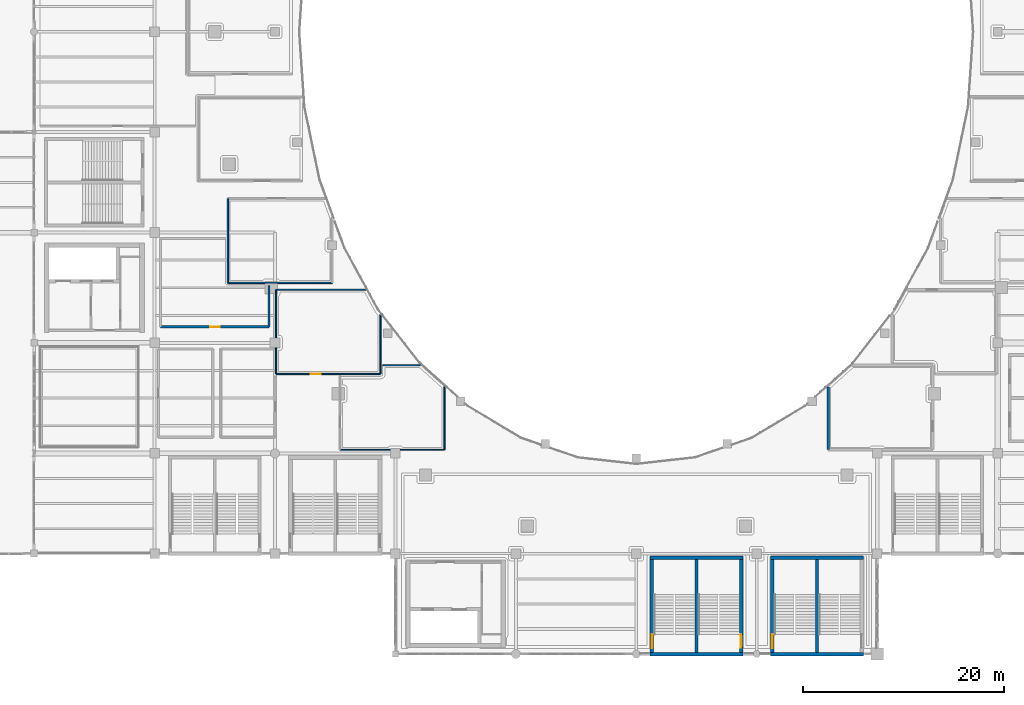
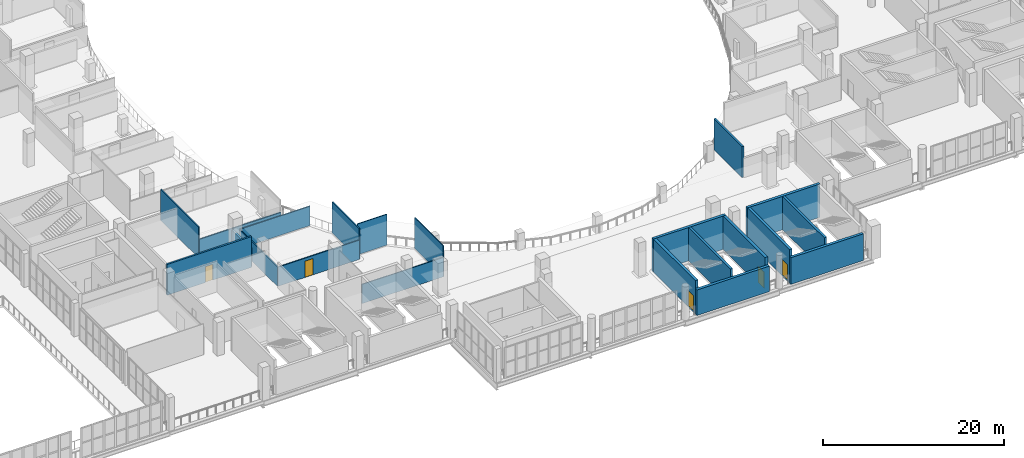
# One storey, part 62 of 90: 21 walls, 5 doors, 5 openings.
"""IFC4 building model written with IfcOpenShell, lengths in metres."""

from ifc_helpers import new_model, si_unit, direction, frame, frame_2d, origin, place, context, subcontext, project, spatial, rectangle, extrude, material, layer, layer_set, type_object, element, fill, save


model = new_model("IFC4")

# Units and contexts
model_context = context("Model", 3, precision=1e-05, world=origin(), true_north=direction((0.0, 1.0)))
body_context = subcontext(model_context, "Body", "Model", "MODEL_VIEW")
ifc_project = project(units=[si_unit("LENGTHUNIT", "METRE"), si_unit("AREAUNIT", "SQUARE_METRE"), si_unit("VOLUMEUNIT", "CUBIC_METRE"), si_unit("PLANEANGLEUNIT", "RADIAN"), si_unit("MASSUNIT", "GRAM", prefix="KILO")], contexts=[model_context])

# Site, building, storey
site_placement = place(None, origin())
site = spatial("IfcSite", under=ifc_project, at=site_placement, CompositionType="ELEMENT")
building_placement = place(site_placement, origin())
building = spatial("IfcBuilding", under=site, at=building_placement, Name="Brinegate Civic Arena", CompositionType="ELEMENT")
storey_placement = place(building_placement, frame((0.0, 0.0, 14.699951171875)))
storey = spatial("IfcBuildingStorey", under=building, at=storey_placement, Name="L03", CompositionType="ELEMENT", Elevation=14.699951171875)

# Wall
ifc_material_1 = material(Name="Concrete C50/60", Category="concrete")
ifc_layer_1 = layer(ifc_material_1, 0.35009765625, Name="Concrete C50/60")
ifc_layer_set_1 = layer_set([ifc_layer_1], Name="Concrete C50/60")
wall_type_1 = type_object("IfcWallType", Name="WALL-CORE-SHEAR-350", PredefinedType="SHEAR", material=ifc_layer_set_1)
wall_1_placement = place(storey_placement, frame((121.375, 9.60009765625, 0.0), z_axis=(0.0, 0.0, 1.0), x_axis=(1.0, 0.0, 0.0)))
element("IfcWall", 1, at=wall_1_placement, inside=storey, type_object=wall_type_1, Name="Stair ST-04 North Shear Wall L03 (WBC-09)", PredefinedType="SHEAR", context=body_context, shape_type="SweptSolid", body=[
    extrude(rectangle(XDim=9.25, YDim=0.35009765625, at=frame_2d((4.625, 0.0))), origin(), (0.0, 0.0, 1.0), 4.5),
])

# Wall, opening, door
wall_2_placement = place(storey_placement, frame((121.550048828125, 0.175048828125, 0.0), z_axis=(0.0, 0.0, 1.0), x_axis=(0.0, 1.0, 0.0)))
wall_2 = element("IfcWall", 2, at=wall_2_placement, inside=storey, type_object=wall_type_1, Name="Stair ST-04 West Shear Wall L03 (WBC-10)", PredefinedType="SHEAR", context=body_context, shape_type="SweptSolid", body=[
    extrude(rectangle(XDim=9.25, YDim=0.35009765625, at=frame_2d((4.625, 0.0))), origin(), (0.0, 0.0, 1.0), 4.5),
])
opening_1_placement = place(wall_2_placement, frame((0.425048828125, 0.0, 0.0)))
opening_1 = element("IfcOpeningElement", 3, at=opening_1_placement, cuts=wall_2, Name="Opening D-ST04A-L03", PredefinedType="OPENING", context=body_context, shape_type="SweptSolid", body=[
    extrude(rectangle(XDim=1.39990234375, YDim=2.199951171875, at=frame_2d((0.699951171875, 1.10009765625))), frame((0.0, 0.18505859375, 0.0), z_axis=(0.0, -1.0, 0.0), x_axis=(1.0, 0.0, 0.0)), (0.0, 0.0, 1.0), 0.3701171875),
])
ifc_material_2 = material(Name="Galvanized hurricane steel", Category="steel")
door_type_1 = type_object("IfcDoorType", Name="DOOR-STAIR-2400X2200", OperationType="NOTDEFINED", PredefinedType="DOOR", material=ifc_material_2)
door_1_placement = place(opening_1_placement, frame((1.39990234375, 0.0, 0.0), z_axis=(0.0, 0.0, 1.0), x_axis=(-1.0, 0.0, 0.0)))
door_1 = element("IfcDoor", 4, at=door_1_placement, inside=storey, type_object=door_type_1, Name="Protected Exit Stair Door D-ST04A-L03", OperationType="DOUBLE_DOOR_SINGLE_SWING", OverallHeight=2.199951171875, OverallWidth=1.39990234375, PredefinedType="DOOR", context=body_context, shape_type="SweptSolid", body=[
    extrude(rectangle(XDim=1.39990234375, YDim=2.199951171875, at=frame_2d((0.699951171875, 1.10009765625))), frame((0.0, 0.02490234375, 0.0), z_axis=(0.0, -1.0, 0.0), x_axis=(1.0, 0.0, 0.0)), (0.0, 0.0, 1.0), 0.050048828125),
])
fill(opening_1, door_1)

# Wall
wall_3_placement = place(storey_placement, frame((109.375, 9.60009765625, 0.0), z_axis=(0.0, 0.0, 1.0), x_axis=(1.0, 0.0, 0.0)))
element("IfcWall", 5, at=wall_3_placement, inside=storey, type_object=wall_type_1, Name="Stair ST-16 North Shear Wall L03 (WBF-27)", PredefinedType="SHEAR", context=body_context, shape_type="SweptSolid", body=[
    extrude(rectangle(XDim=9.25, YDim=0.35009765625, at=frame_2d((4.625, 0.0))), origin(), (0.0, 0.0, 1.0), 4.5),
])

# Wall, opening, door
wall_4_placement = place(storey_placement, frame((109.550048828125, 0.175048828125, 0.0), z_axis=(0.0, 0.0, 1.0), x_axis=(0.0, 1.0, 0.0)))
wall_4 = element("IfcWall", 6, at=wall_4_placement, inside=storey, type_object=wall_type_1, Name="Stair ST-16 West Shear Wall L03 (WBF-28)", PredefinedType="SHEAR", context=body_context, shape_type="SweptSolid", body=[
    extrude(rectangle(XDim=9.25, YDim=0.35009765625, at=frame_2d((4.625, 0.0))), origin(), (0.0, 0.0, 1.0), 4.5),
])
opening_2_placement = place(wall_4_placement, frame((0.425048828125, 0.0, 0.0)))
opening_2 = element("IfcOpeningElement", 7, at=opening_2_placement, cuts=wall_4, Name="Opening D-ST16A-L03", PredefinedType="OPENING", context=body_context, shape_type="SweptSolid", body=[
    extrude(rectangle(XDim=1.39990234375, YDim=2.199951171875, at=frame_2d((0.699951171875, 1.10009765625))), frame((0.0, 0.18505859375, 0.0), z_axis=(0.0, -1.0, 0.0), x_axis=(1.0, 0.0, 0.0)), (0.0, 0.0, 1.0), 0.3701171875),
])
door_2_placement = place(opening_2_placement, frame((1.39990234375, 0.0, 0.0), z_axis=(0.0, 0.0, 1.0), x_axis=(-1.0, 0.0, 0.0)))
door_2 = element("IfcDoor", 8, at=door_2_placement, inside=storey, type_object=door_type_1, Name="Protected Exit Stair Door D-ST16A-L03", OperationType="DOUBLE_DOOR_SINGLE_SWING", OverallHeight=2.199951171875, OverallWidth=1.39990234375, PredefinedType="DOOR", context=body_context, shape_type="SweptSolid", body=[
    extrude(rectangle(XDim=1.39990234375, YDim=2.199951171875, at=frame_2d((0.699951171875, 1.10009765625))), frame((0.0, 0.02490234375, 0.0), z_axis=(0.0, -1.0, 0.0), x_axis=(1.0, 0.0, 0.0)), (0.0, 0.0, 1.0), 0.050048828125),
])
fill(opening_2, door_2)

wall_5_placement = place(storey_placement, frame((118.449951171875, 0.175048828125, 0.0), z_axis=(0.0, 0.0, 1.0), x_axis=(0.0, 1.0, 0.0)))
wall_5 = element("IfcWall", 9, at=wall_5_placement, inside=storey, type_object=wall_type_1, Name="Stair ST-16 East Shear Wall L03 (WBF-29)", PredefinedType="SHEAR", context=body_context, shape_type="SweptSolid", body=[
    extrude(rectangle(XDim=9.25, YDim=0.35009765625, at=frame_2d((4.625, 0.0))), origin(), (0.0, 0.0, 1.0), 4.5),
])
opening_3_placement = place(wall_5_placement, frame((0.465087890625, 0.0, 0.0)))
opening_3 = element("IfcOpeningElement", 10, at=opening_3_placement, cuts=wall_5, Name="Opening D-ST16B-L03", PredefinedType="OPENING", context=body_context, shape_type="SweptSolid", body=[
    extrude(rectangle(XDim=1.320068359375, YDim=2.199951171875, at=frame_2d((0.66015625, 1.10009765625))), frame((0.0, 0.18505859375, 0.0), z_axis=(0.0, -1.0, 0.0), x_axis=(1.0, 0.0, 0.0)), (0.0, 0.0, 1.0), 0.3701171875),
])
door_type_2 = type_object("IfcDoorType", Name="DOOR-STAIR-2200X2200", OperationType="NOTDEFINED", PredefinedType="DOOR", material=ifc_material_2)
door_3_placement = place(opening_3_placement, origin())
door_3 = element("IfcDoor", 11, at=door_3_placement, inside=storey, type_object=door_type_2, Name="Protected Exit Stair Door D-ST16B-L03", OperationType="DOUBLE_DOOR_SINGLE_SWING", OverallHeight=2.199951171875, OverallWidth=1.320068359375, PredefinedType="DOOR", context=body_context, shape_type="SweptSolid", body=[
    extrude(rectangle(XDim=1.320068359375, YDim=2.199951171875, at=frame_2d((0.66015625, 1.10009765625))), frame((0.0, 0.02490234375, 0.0), z_axis=(0.0, -1.0, 0.0), x_axis=(1.0, 0.0, 0.0)), (0.0, 0.0, 1.0), 0.050048828125),
])
fill(opening_3, door_3)

# Walls
ifc_layer_2 = layer(ifc_material_1, 0.35009765625, Name="Concrete C50/60")
ifc_layer_set_2 = layer_set([ifc_layer_2], Name="Concrete C50/60")
wall_type_2 = type_object("IfcWallType", Name="WALL-EXT-STAIR-SHEAR-350", PredefinedType="SHEAR", material=ifc_layer_set_2)
wall_6_placement = place(storey_placement, frame((121.375, 0.0, 0.0), z_axis=(0.0, 0.0, 1.0), x_axis=(1.0, 0.0, 0.0)))
element("IfcWall", 12, at=wall_6_placement, inside=storey, type_object=wall_type_2, Name="Stair ST-04 South Shear Wall L03 (WBC-08)", PredefinedType="SHEAR", context=body_context, shape_type="SweptSolid", body=[
    extrude(rectangle(XDim=9.25, YDim=0.35009765625, at=frame_2d((4.625, 0.0))), origin(), (0.0, 0.0, 1.0), 3.595947265625),
])
wall_7_placement = place(storey_placement, frame((109.375, 0.0, 0.0), z_axis=(0.0, 0.0, 1.0), x_axis=(1.0, 0.0, 0.0)))
element("IfcWall", 13, at=wall_7_placement, inside=storey, type_object=wall_type_2, Name="Stair ST-16 South Shear Wall L03 (WBF-26)", PredefinedType="SHEAR", context=body_context, shape_type="SweptSolid", body=[
    extrude(rectangle(XDim=9.25, YDim=0.35009765625, at=frame_2d((4.625, 0.0))), origin(), (0.0, 0.0, 1.0), 3.447021484375),
])
ifc_material_3 = material(Name="Concrete C40/50", Category="concrete")
ifc_layer_3 = layer(ifc_material_3, 0.22998046875, Name="Concrete C40/50")
ifc_layer_set_3 = layer_set([ifc_layer_3], Name="Concrete C40/50")
wall_type_3 = type_object("IfcWallType", Name="WALL-INT-SOLID-230", PredefinedType="SOLIDWALL", material=ifc_layer_set_3)
wall_8_placement = place(storey_placement, frame((71.39990234375, 36.72705078125, 0.0), z_axis=(0.0, 0.0, 1.0), x_axis=(0.0, -1.0, 0.0)))
element("IfcWall", 14, at=wall_8_placement, inside=storey, type_object=wall_type_3, Name="Suite Concierge Reception and Business Lounge Partition Wall E13 (WBK-14)", PredefinedType="SOLIDWALL", context=body_context, shape_type="SweptSolid", body=[
    extrude(rectangle(XDim=4.126953125, YDim=0.22998046875, at=frame_2d((2.0634765625, 0.0))), origin(), (0.0, 0.0, 1.0), 2.530029296875),
])

# Wall, opening, door
wall_9_placement = place(storey_placement, frame((71.39990234375, 32.60009765625, 0.0), z_axis=(0.0, 0.0, 1.0), x_axis=(-1.0, 0.0, 0.0)))
wall_9 = element("IfcWall", 15, at=wall_9_placement, inside=storey, type_object=wall_type_3, Name="Suite Concierge Reception and Business Lounge Partition Wall E14 (WBK-15)", PredefinedType="SOLIDWALL", context=body_context, shape_type="SweptSolid", body=[
    extrude(rectangle(XDim=10.7998046875, YDim=0.22998046875, at=frame_2d((5.39990234375, 0.0))), origin(), (0.0, 0.0, 1.0), 4.16015625),
])
opening_4_placement = place(wall_9_placement, frame((4.925048828125, 0.0, 0.0)))
opening_4 = element("IfcOpeningElement", 16, at=opening_4_placement, cuts=wall_9, Name="Opening D-L03-211", PredefinedType="OPENING", context=body_context, shape_type="SweptSolid", body=[
    extrude(rectangle(XDim=0.949951171875, YDim=2.14990234375, at=frame_2d((0.47509765625, 1.074951171875))), frame((0.0, 0.125, 0.0), z_axis=(0.0, -1.0, 0.0), x_axis=(1.0, 0.0, 0.0)), (0.0, 0.0, 1.0), 0.25),
])
ifc_material_4 = material(Name="Hardwood acoustic timber door", Category="wood")
door_type_3 = type_object("IfcDoorType", Name="DOOR-OFFICE-950X2150", OperationType="NOTDEFINED", PredefinedType="DOOR", material=ifc_material_4)
door_4_placement = place(opening_4_placement, origin())
door_4 = element("IfcDoor", 17, at=door_4_placement, inside=storey, type_object=door_type_3, Name="Suite Concierge Reception and Business Lounge Door D-L03-211", OperationType="SINGLE_SWING_RIGHT", OverallHeight=2.14990234375, OverallWidth=0.949951171875, PredefinedType="DOOR", context=body_context, shape_type="SweptSolid", body=[
    extrude(rectangle(XDim=0.949951171875, YDim=2.14990234375, at=frame_2d((0.47509765625, 1.074951171875))), frame((0.0, 0.02490234375, 0.0), z_axis=(0.0, -1.0, 0.0), x_axis=(1.0, 0.0, 0.0)), (0.0, 0.0, 1.0), 0.050048828125),
])
fill(opening_4, door_4)

# Walls
ifc_layer_4 = layer(ifc_material_3, 0.25, Name="Concrete C40/50")
ifc_layer_set_4 = layer_set([ifc_layer_4], Name="Concrete C40/50")
wall_type_4 = type_object("IfcWallType", Name="WALL-INT-SOLID-250", PredefinedType="SOLIDWALL", material=ifc_layer_set_4)
wall_10_placement = place(storey_placement, frame((127.118896484375, 20.368896484375, 0.0), z_axis=(0.0, 0.0, 1.0), x_axis=(0.0, 1.0, 0.0)))
element("IfcWall", 18, at=wall_10_placement, inside=storey, type_object=wall_type_4, Name="Hospitality Suite L03-01 Partition Wall E2 (WBJ-44)", PredefinedType="SOLIDWALL", context=body_context, shape_type="SweptSolid", body=[
    extrude(rectangle(XDim=6.252197265625, YDim=0.25, at=frame_2d((3.1259765625, 0.0))), origin(), (0.0, 0.0, 1.0), 4.16015625),
])
ifc_material_5 = material(Name="Fire-rated gypsum partition assembly")
ifc_layer_5 = layer(ifc_material_5, 0.1298828125, Name="Fire-rated gypsum partition assembly")
ifc_layer_set_5 = layer_set([ifc_layer_5], Name="Fire-rated gypsum partition assembly")
wall_type_5 = type_object("IfcWallType", Name="WALL-PART-ACOUSTIC-130", PredefinedType="PARTITIONING", material=ifc_layer_set_5)
wall_11_placement = place(storey_placement, frame((72.10302734375, 27.906982421875, 0.0), z_axis=(0.0, 0.0, 1.0), x_axis=(0.0, 1.0, 0.0)))
element("IfcWall", 19, at=wall_11_placement, inside=storey, type_object=wall_type_5, Name="Hospitality Suite L03-17 Partition Wall E1 (WBK-02)", PredefinedType="PARTITIONING", context=body_context, shape_type="SweptSolid", body=[
    extrude(rectangle(XDim=8.39990234375, YDim=0.1298828125, at=frame_2d((4.199951171875, 0.0))), origin(), (0.0, 0.0, 1.0), 2.60302734375),
])
wall_12_placement = place(storey_placement, frame((72.10302734375, 36.306884765625, 0.0), z_axis=(0.0, 0.0, 1.0), x_axis=(1.0, 0.0, 0.0)))
element("IfcWall", 20, at=wall_12_placement, inside=storey, type_object=wall_type_5, Name="Hospitality Suite L03-17 Partition Wall E2 (WBK-03)", PredefinedType="PARTITIONING", context=body_context, shape_type="SweptSolid", body=[
    extrude(rectangle(XDim=8.945068359375, YDim=0.1298828125, at=frame_2d((4.47265625, 0.0))), origin(), (0.0, 0.0, 1.0), 2.60302734375),
])
wall_13_placement = place(storey_placement, frame((82.5029296875, 33.822998046875, 0.0), z_axis=(0.0, 0.0, 1.0), x_axis=(0.0, -1.0, 0.0)))
element("IfcWall", 21, at=wall_13_placement, inside=storey, type_object=wall_type_5, Name="Hospitality Suite L03-17 Partition Wall E6 (WBK-04)", PredefinedType="PARTITIONING", context=body_context, shape_type="SweptSolid", body=[
    extrude(rectangle(XDim=5.916015625, YDim=0.1298828125, at=frame_2d((2.9580078125, 0.0))), origin(), (0.0, 0.0, 1.0), 4.16015625),
])

# Wall, opening, door
wall_14_placement = place(storey_placement, frame((82.5029296875, 27.906982421875, 0.0), z_axis=(0.0, 0.0, 1.0), x_axis=(-1.0, 0.0, 0.0)))
wall_14 = element("IfcWall", 22, at=wall_14_placement, inside=storey, type_object=wall_type_5, Name="Hospitality Suite L03-17 Partition Wall E7 (WBK-05)", PredefinedType="PARTITIONING", context=body_context, shape_type="SweptSolid", body=[
    extrude(rectangle(XDim=10.39990234375, YDim=0.1298828125, at=frame_2d((5.199951171875, 0.0))), origin(), (0.0, 0.0, 1.0), 2.60302734375),
])
opening_5_placement = place(wall_14_placement, frame((5.947998046875, 0.0, 0.0)))
opening_5 = element("IfcOpeningElement", 23, at=opening_5_placement, cuts=wall_14, Name="Opening D-L03-208", PredefinedType="OPENING", context=body_context, shape_type="SweptSolid", body=[
    extrude(rectangle(XDim=1.0, YDim=2.199951171875, at=frame_2d((0.5, 1.10009765625))), frame((0.0, 0.074951171875, 0.0), z_axis=(0.0, -1.0, 0.0), x_axis=(1.0, 0.0, 0.0)), (0.0, 0.0, 1.0), 0.14990234375),
])
door_type_4 = type_object("IfcDoorType", Name="DOOR-SUITE-1000X2200", OperationType="NOTDEFINED", PredefinedType="DOOR", material=ifc_material_4)
door_5_placement = place(opening_5_placement, origin())
door_5 = element("IfcDoor", 24, at=door_5_placement, inside=storey, type_object=door_type_4, Name="Hospitality Suite L03-17 Door D-L03-208", OperationType="SINGLE_SWING_RIGHT", OverallHeight=2.199951171875, OverallWidth=1.0, PredefinedType="DOOR", context=body_context, shape_type="SweptSolid", body=[
    extrude(rectangle(XDim=1.0, YDim=2.199951171875, at=frame_2d((0.5, 1.10009765625))), frame((0.0, 0.02490234375, 0.0), z_axis=(0.0, -1.0, 0.0), x_axis=(1.0, 0.0, 0.0)), (0.0, 0.0, 1.0), 0.050048828125),
])
fill(opening_5, door_5)

# Walls
ifc_layer_6 = layer(ifc_material_5, 0.114990234375, Name="Fire-rated gypsum partition assembly")
ifc_layer_set_6 = layer_set([ifc_layer_6], Name="Fire-rated gypsum partition assembly")
wall_type_6 = type_object("IfcWallType", Name="WALL-PART-STD-115", PredefinedType="PARTITIONING", material=ifc_layer_set_6)
wall_15_placement = place(storey_placement, frame((82.7529296875, 28.76904296875, 0.0), z_axis=(0.0, 0.0, 1.0), x_axis=(1.0, 0.0, 0.0)))
element("IfcWall", 25, at=wall_15_placement, inside=storey, type_object=wall_type_6, Name="Hospitality Suite L03-18 Partition Wall E13 (WBK-07)", PredefinedType="PARTITIONING", context=body_context, shape_type="SweptSolid", body=[
    extrude(rectangle(XDim=3.739013671875, YDim=0.114990234375, at=frame_2d((1.86962890625, 0.0))), origin(), (0.0, 0.0, 1.0), 4.16015625),
])
wall_16_placement = place(storey_placement, frame((88.881103515625, 26.62109375, 0.0), z_axis=(0.0, 0.0, 1.0), x_axis=(0.0, -1.0, 0.0)))
element("IfcWall", 26, at=wall_16_placement, inside=storey, type_object=wall_type_6, Name="Hospitality Suite L03-18 Partition Wall E15 (WBK-08)", PredefinedType="PARTITIONING", context=body_context, shape_type="SweptSolid", body=[
    extrude(rectangle(XDim=6.252197265625, YDim=0.114990234375, at=frame_2d((3.1259765625, 0.0))), origin(), (0.0, 0.0, 1.0), 4.16015625),
])
wall_17_placement = place(storey_placement, frame((88.881103515625, 20.368896484375, 0.0), z_axis=(0.0, 0.0, 1.0), x_axis=(-1.0, 0.0, 0.0)))
element("IfcWall", 27, at=wall_17_placement, inside=storey, type_object=wall_type_6, Name="Hospitality Suite L03-18 Partition Wall E16 (WBK-09)", PredefinedType="PARTITIONING", context=body_context, shape_type="SweptSolid", body=[
    extrude(rectangle(XDim=10.400146484375, YDim=0.114990234375, at=frame_2d((5.2001953125, 0.0))), origin(), (0.0, 0.0, 1.0), 2.60302734375),
])
ifc_layer_7 = layer(ifc_material_5, 0.14501953125, Name="Fire-rated gypsum partition assembly")
ifc_layer_set_7 = layer_set([ifc_layer_7], Name="Fire-rated gypsum partition assembly")
wall_type_7 = type_object("IfcWallType", Name="WALL-PART-SUITE-145", PredefinedType="PARTITIONING", material=ifc_layer_set_7)
wall_18_placement = place(storey_placement, frame((67.298095703125, 36.97705078125, 0.0), z_axis=(0.0, 0.0, 1.0), x_axis=(0.0, 1.0, 0.0)))
element("IfcWall", 28, at=wall_18_placement, inside=storey, type_object=wall_type_7, Name="Hospitality Suite L03-16 Partition Wall E1 (WBJ-97)", PredefinedType="PARTITIONING", context=body_context, shape_type="SweptSolid", body=[
    extrude(rectangle(XDim=8.39990234375, YDim=0.14501953125, at=frame_2d((4.199951171875, 0.0))), origin(), (0.0, 0.0, 1.0), 4.16015625),
])
wall_19_placement = place(storey_placement, frame((77.697998046875, 36.97705078125, 0.0), z_axis=(0.0, 0.0, 1.0), x_axis=(-1.0, 0.0, 0.0)))
element("IfcWall", 29, at=wall_19_placement, inside=storey, type_object=wall_type_7, Name="Hospitality Suite L03-16 Partition Wall E5 (WBK-01)", PredefinedType="PARTITIONING", context=body_context, shape_type="SweptSolid", body=[
    extrude(rectangle(XDim=10.39990234375, YDim=0.14501953125, at=frame_2d((5.199951171875, 0.0))), origin(), (0.0, 0.0, 1.0), 2.530029296875),
])
ifc_layer_8 = layer(ifc_material_1, 0.2900390625, Name="Concrete C50/60")
ifc_layer_set_8 = layer_set([ifc_layer_8], Name="Concrete C50/60")
wall_type_8 = type_object("IfcWallType", Name="WALL-STAIR-SHEAR-290", PredefinedType="SHEAR", material=ifc_layer_set_8)
for number, where, z_axis, x_axis, name in (
    (30, (126.0, 0.175048828125, 0.0), (0.0, 0.0, 1.0), (0.0, 1.0, 0.0), "Stair ST-04 Central Dividing Shear Wall L03 (WBC-12)"),
    (31, (114.0, 0.175048828125, 0.0), (0.0, 0.0, 1.0), (0.0, 1.0, 0.0), "Stair ST-16 Central Dividing Shear Wall L03 (WBF-30)"),
):
    element("IfcWall", number, at=place(storey_placement, frame(where, z_axis=z_axis, x_axis=x_axis)), inside=storey, type_object=wall_type_8, Name=name, PredefinedType="SHEAR", context=body_context, shape_type="SweptSolid", body=[
        extrude(rectangle(XDim=9.25, YDim=0.2900390625, at=frame_2d((4.625, 0.0))), origin(), (0.0, 0.0, 1.0), 4.5),
    ])

save(model, "model.ifc")
